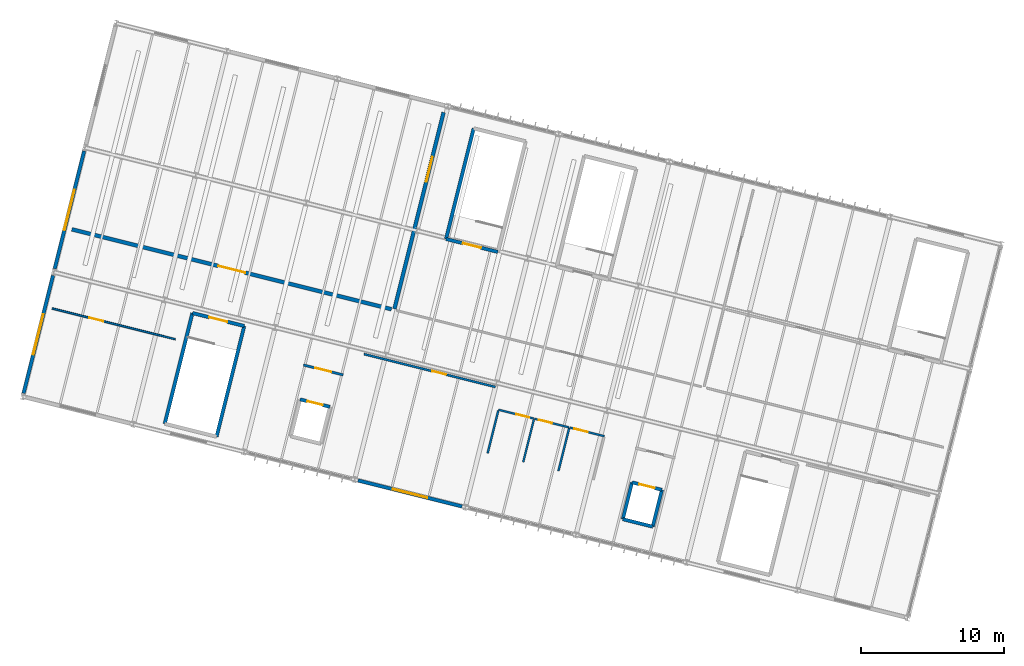
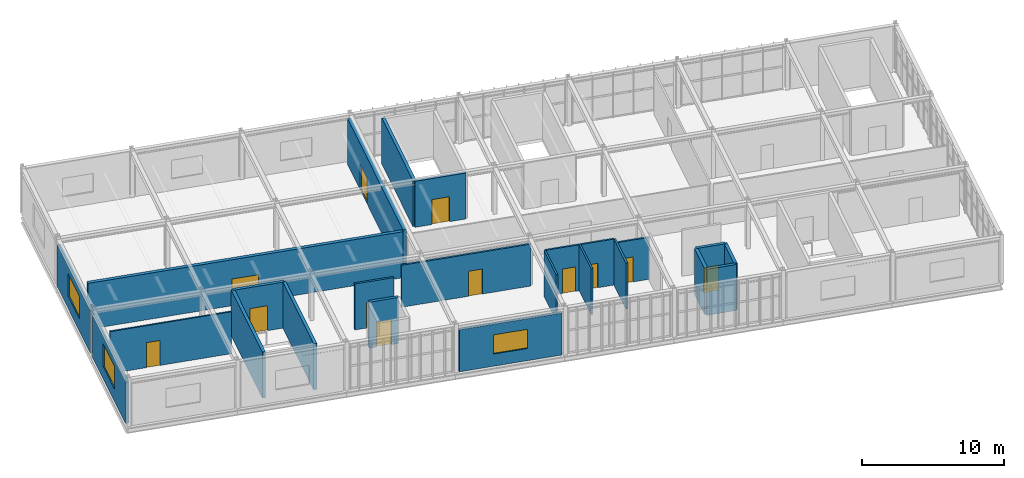
# One storey, part 23 of 30: 24 walls, 12 doors, 3 windows, 15 openings.
"""IFC4 building model written with IfcOpenShell, lengths in metres."""

import ifcopenshell
import ifcopenshell.guid

model = None  # the IFC model being written
_history = None  # IfcOwnerHistory: only IFC2X3 demands one
_inside = {}  # id of a spatial element -> (the spatial element, [elements in it])
_under = {}  # id of a project, library or spatial element -> (it, [spatial elements below it])
_declared = {}  # id of a project -> (the project, [libraries it declares])
_typed = {}  # id of a type object -> (the type object, [elements of that type])
_made_of = {}  # id of a material, layer set ... -> (it, [elements and type objects made of it])


def new_model(schema):
    """Start an empty IFC model of exactly this schema.

    Asked for "IFC4X3", IfcOpenShell would pick the latest addendum, in which some entities
    have other attributes; the version numbers below select the first issue.
    IFC2X3 requires an IfcOwnerHistory on every rooted entity: one is made here for all.
    """
    global model, _history
    if schema == "IFC4X3":
        model = ifcopenshell.file(schema_version=(4, 3, 0, 0))
    else:
        model = ifcopenshell.file(schema=schema)
    _inside.clear()
    _under.clear()
    _declared.clear()
    _typed.clear()
    _made_of.clear()
    _history = None
    if model.schema == "IFC2X3":
        org = make("IfcOrganization", Name="unknown")
        user = make(
            "IfcPersonAndOrganization",
            ThePerson=make("IfcPerson", FamilyName="unknown"),
            TheOrganization=org,
        )
        app = make(
            "IfcApplication",
            ApplicationDeveloper=org,
            Version="unknown",
            ApplicationFullName="unknown",
            ApplicationIdentifier="unknown",
        )
        _history = make(
            "IfcOwnerHistory",
            OwningUser=user,
            OwningApplication=app,
            ChangeAction="ADDED",
            CreationDate=0,
        )
    return model


def make(cls, **values):
    """One entity of the class cls with the attributes given. An attribute that is None is left unset."""
    return model.create_entity(
        cls, **{name: value for name, value in values.items() if value is not None}
    )


def rooted(cls, **values):
    """An entity with a GlobalId (a new one), such as an element, a storey or a relation."""
    return make(cls, GlobalId=ifcopenshell.guid.new(), OwnerHistory=_history, **values)


def si_unit(unit_type, name, prefix=None):
    """IfcSIUnit, for example si_unit("LENGTHUNIT", "METRE", prefix="MILLI")."""
    return make("IfcSIUnit", UnitType=unit_type, Prefix=prefix, Name=name)


def derived_unit(unit_type, elements):
    """IfcDerivedUnit: a product of units, each with its exponent."""
    return make(
        "IfcDerivedUnit",
        Elements=[
            make("IfcDerivedUnitElement", Unit=unit, Exponent=power)
            for unit, power in elements
        ],
        UnitType=unit_type,
    )


def assignment(units):
    """IfcUnitAssignment: the units of a project."""
    return None if units is None else make("IfcUnitAssignment", Units=units)


def point(xyz):
    """IfcCartesianPoint."""
    return None if xyz is None else make("IfcCartesianPoint", Coordinates=xyz)


def direction(xyz):
    """IfcDirection."""
    return None if xyz is None else make("IfcDirection", DirectionRatios=xyz)


def frame(location, z_axis=None, x_axis=None):
    """IfcAxis2Placement3D, a coordinate frame: its origin and axes. An axis left out is left unset."""
    return make(
        "IfcAxis2Placement3D",
        Location=point(location),
        Axis=direction(z_axis),
        RefDirection=direction(x_axis),
    )


def frame_2d(location, x_axis=None):
    """IfcAxis2Placement2D, a coordinate frame in the plane: its origin and x axis."""
    return make(
        "IfcAxis2Placement2D", Location=point(location), RefDirection=direction(x_axis)
    )


def origin():
    """The frame at (0, 0, 0) with its axes left unset."""
    return frame((0.0, 0.0, 0.0))


def place(relative_to, where):
    """IfcLocalPlacement: puts the frame where relative to a parent placement (None: the world)."""
    return make(
        "IfcLocalPlacement", PlacementRelTo=relative_to, RelativePlacement=where
    )


def context(
    kind, dimensions, precision=None, world=None, true_north=None, identifier=None
):
    """IfcGeometricRepresentationContext, for example the 3D "Model" context."""
    return make(
        "IfcGeometricRepresentationContext",
        ContextIdentifier=identifier,
        ContextType=kind,
        CoordinateSpaceDimension=dimensions,
        Precision=precision,
        WorldCoordinateSystem=world,
        TrueNorth=true_north,
    )


def subcontext(parent, identifier, kind, view, scale=None):
    """IfcGeometricRepresentationSubContext, for example "Body" below "Model"."""
    return make(
        "IfcGeometricRepresentationSubContext",
        ContextIdentifier=identifier,
        ContextType=kind,
        ParentContext=parent,
        TargetScale=scale,
        TargetView=view,
    )


def project(units=None, contexts=None):
    """IfcProject with its units and contexts."""
    return rooted(
        "IfcProject",
        Name="project",
        RepresentationContexts=contexts,
        UnitsInContext=assignment(units),
    )


def spatial(cls, under=None, at=None, **own):
    """A site, building, storey or space (cls), placed at a placement, below another one or the project."""
    s = rooted(cls, ObjectPlacement=at, **own)
    if under is not None:
        _under.setdefault(under.id(), (under, []))[1].append(s)
    return s


def profile(cls, at=None, kind="AREA", **sizes):
    """A parametric profile (cls). Its sizes go by their IFC names, for example OverallWidth=200.0."""
    return make(cls, ProfileType=kind, Position=at, **sizes)


def rectangle(**sizes):
    """IfcRectangleProfileDef."""
    return profile("IfcRectangleProfileDef", **sizes)


def extrude(swept, where, along, depth):
    """IfcExtrudedAreaSolid: the profile swept, set in the frame where, extruded along a direction by depth."""
    return make(
        "IfcExtrudedAreaSolid",
        SweptArea=swept,
        Position=where,
        ExtrudedDirection=direction(along),
        Depth=depth,
    )


def shape(context_of_items, identifier, shape_type, items):
    """IfcShapeRepresentation: the items that make up one representation, for example the "Body"."""
    return make(
        "IfcShapeRepresentation",
        ContextOfItems=context_of_items,
        RepresentationIdentifier=identifier,
        RepresentationType=shape_type,
        Items=items,
    )


def material(Name=None, Category=None):
    """IfcMaterial."""
    return make("IfcMaterial", Name=Name, Category=Category)


def layer(
    of_material, thickness, ventilated=None, Name=None, Category=None, Priority=None
):
    """IfcMaterialLayer: one layer of a wall or slab, of a material (None: an air gap)."""
    return make(
        "IfcMaterialLayer",
        Material=of_material,
        LayerThickness=thickness,
        IsVentilated=ventilated,
        Name=Name,
        Category=Category,
        Priority=Priority,
    )


def layer_set(layers, Name=None):
    """IfcMaterialLayerSet."""
    return make("IfcMaterialLayerSet", MaterialLayers=layers, LayerSetName=Name)


def made_of(thing, what):
    """Note that an element or type object is made of a material, layer set ...; save() writes the relation."""
    if what is not None:
        _made_of.setdefault(what.id(), (what, []))[1].append(thing)
    return thing


def type_object(cls, material=None, **own):
    """A type object (cls), such as IfcWallType, which elements share."""
    return made_of(rooted(cls, **own), material)


def element(
    cls,
    number,
    at=None,
    inside=None,
    cuts=None,
    type_object=None,
    material=None,
    context=None,
    identifier="Body",
    shape_type=None,
    held_by="IfcProductDefinitionShape",
    body=None,
    shapes=None,
    **own,
):
    """One element of the class cls, such as IfcWall. Its Tag is "e" and its number.

    at: its placement. inside: the storey or other place that contains it. cuts: it is an
    opening in that element (IfcRelVoidsElement). A single representation is given by context,
    identifier, shape_type and body (its items); several are given by shapes. held_by: the class
    of the entity that holds the representations. save() writes the other relations.
    """
    e = rooted(cls, Tag="e%d" % number, ObjectPlacement=at, **own)
    if body is not None:
        shapes = [shape(context, identifier, shape_type, body)]
    if shapes is not None:
        e.Representation = make(held_by, Representations=shapes)
    if inside is not None:
        _inside.setdefault(inside.id(), (inside, []))[1].append(e)
    if cuts is not None:
        rooted(
            "IfcRelVoidsElement", RelatingBuildingElement=cuts, RelatedOpeningElement=e
        )
    if type_object is not None:
        _typed.setdefault(type_object.id(), (type_object, []))[1].append(e)
    return made_of(e, material)


def fill(opening, filler):
    """IfcRelFillsElement: the door or window that sits in an opening."""
    return rooted(
        "IfcRelFillsElement",
        RelatingOpeningElement=opening,
        RelatedBuildingElement=filler,
    )


def aggregate(whole, parts):
    """IfcRelAggregates: a whole, such as a stair, and the parts it consists of."""
    return rooted("IfcRelAggregates", RelatingObject=whole, RelatedObjects=parts)


def save(model, path):
    """Write the relations noted so far, then the file.

    IfcRelAggregates (storeys below a building ...), IfcRelContainedInSpatialStructure (elements
    in a storey), IfcRelDefinesByType, IfcRelAssociatesMaterial and IfcRelDeclares: one each for
    every whole, place, type object, material and project.
    """
    for whole, parts in _under.values():
        aggregate(whole, parts)
    for where, things in _inside.values():
        rooted(
            "IfcRelContainedInSpatialStructure",
            RelatedElements=things,
            RelatingStructure=where,
        )
    for kind, things in _typed.values():
        rooted("IfcRelDefinesByType", RelatedObjects=things, RelatingType=kind)
    for what, things in _made_of.values():
        rooted("IfcRelAssociatesMaterial", RelatedObjects=things, RelatingMaterial=what)
    for by, libraries in _declared.values():
        rooted("IfcRelDeclares", RelatingContext=by, RelatedDefinitions=libraries)
    model.write(path)


model = new_model("IFC4")

# Units and contexts
model_context = context("Model", 3, precision=1e-05, world=origin(), true_north=direction((0.0, 1.0)))
body_context = subcontext(model_context, "Body", "Model", "MODEL_VIEW")
ifc_project = project(units=[si_unit("LENGTHUNIT", "METRE"), si_unit("AREAUNIT", "SQUARE_METRE"), si_unit("VOLUMEUNIT", "CUBIC_METRE"), si_unit("PLANEANGLEUNIT", "RADIAN"), si_unit("MASSUNIT", "GRAM", prefix="KILO"), si_unit("THERMODYNAMICTEMPERATUREUNIT", "KELVIN"), si_unit("TIMEUNIT", "SECOND"), derived_unit("THERMALTRANSMITTANCEUNIT", [(si_unit("MASSUNIT", "GRAM", prefix="KILO"), 1), (si_unit("THERMODYNAMICTEMPERATUREUNIT", "KELVIN"), -1), (si_unit("TIMEUNIT", "SECOND"), -3)])], contexts=[model_context])

# Site, building, storey
site_placement = place(None, origin())
site = spatial("IfcSite", under=ifc_project, at=site_placement, CompositionType="ELEMENT")
building_placement = place(site_placement, origin())
building = spatial("IfcBuilding", under=site, at=building_placement, Name="Cambertide Market Hall", CompositionType="ELEMENT")
storey_placement = place(building_placement, frame((0.0, 0.0, 14.10009765625)))
storey = spatial("IfcBuildingStorey", under=building, at=storey_placement, Name="L04", CompositionType="ELEMENT", Elevation=14.10009765625)

# Wall, opening, door
ifc_material_1 = material(Name="Autoclaved Aerated Concrete Blockwork M7.5", Category="masonry")
ifc_layer_1 = layer(ifc_material_1, 0.14990234375, Name="Culinary Classroom Acoustic Partition 150")
ifc_layer_set_1 = layer_set([ifc_layer_1], Name="Autoclaved Aerated Concrete Blockwork M7.5")
wall_type_1 = type_object("IfcWallType", Name="Culinary Classroom Acoustic Partition 150", PredefinedType="PARTITIONING", material=ifc_layer_set_1)
wall_1_placement = place(storey_placement, frame((131.938232421875, 102.983154296875, 0.0), z_axis=(0.0, 0.0, 1.0), x_axis=(0.970145523508, -0.242523531267, 0.0)))
wall_1 = element("IfcWall", 1, at=wall_1_placement, inside=storey, type_object=wall_type_1, Name="Level 4 Interior Wall IW-L04-V4S1", PredefinedType="PARTITIONING", context=body_context, shape_type="SweptSolid", body=[
    extrude(rectangle(XDim=9.5, YDim=0.14990234375, at=frame_2d((4.75, 0.0))), origin(), (0.0, 0.0, 1.0), 3.60986328125),
])
opening_1_placement = place(wall_1_placement, frame((4.929931640625, 0.0, 0.0)))
opening_1 = element("IfcOpeningElement", 2, at=opening_1_placement, cuts=wall_1, Name="Opening ID-03", PredefinedType="OPENING", context=body_context, shape_type="SweptSolid", body=[
    extrude(rectangle(XDim=1.0, YDim=2.14990234375, at=frame_2d((0.5, 1.074951171875))), frame((0.0, 0.0849609375, 0.0), z_axis=(0.0, -1.0, 0.0), x_axis=(1.0, 0.0, 0.0)), (0.0, 0.0, 1.0), 0.169921875),
])
ifc_material_2 = material(Name="Champagne Marine Anodized Aluminium 6063-T6 AA25", Category="aluminium")
door_type_1 = type_object("IfcDoorType", Name="Accessible Room Single Door 1000x2150", OperationType="NOTDEFINED", PredefinedType="DOOR", material=ifc_material_2)
door_1_placement = place(opening_1_placement, origin())
door_1 = element("IfcDoor", 3, at=door_1_placement, inside=storey, type_object=door_type_1, Name="Level 4 Door IW-L04-V4S1-DR1", OperationType="SINGLE_SWING_LEFT", OverallHeight=2.14990234375, OverallWidth=1.0, PredefinedType="DOOR", context=body_context, shape_type="SweptSolid", body=[
    extrude(rectangle(XDim=1.0, YDim=2.14990234375, at=frame_2d((0.5, 1.074951171875))), frame((0.0, 0.02490234375, 0.0), z_axis=(0.0, -1.0, 0.0), x_axis=(1.0, 0.0, 0.0)), (0.0, 0.0, 1.0), 0.050048828125),
])
fill(opening_1, door_1)

# Wall, opening, window
ifc_material_3 = material(Name="Autoclaved Aerated Concrete Blockwork M7.5", Category="masonry")
ifc_layer_2 = layer(ifc_material_3, 0.25, Name="Insulated AAC Exterior Infill Wall 250")
ifc_layer_set_2 = layer_set([ifc_layer_2], Name="Autoclaved Aerated Concrete Blockwork M7.5")
wall_type_2 = type_object("IfcWallType", Name="Insulated AAC Exterior Infill Wall 250", PredefinedType="SOLIDWALL", material=ifc_layer_set_2)
wall_2_placement = place(storey_placement, frame((138.811767578125, 92.297119140625, 0.0), z_axis=(0.0, 0.0, 1.0), x_axis=(-0.970146319544, 0.242520346931, 0.0)))
wall_2 = element("IfcWall", 4, at=wall_2_placement, inside=storey, type_object=wall_type_2, Name="Level 4 Exterior Wall EW-L04-V4S-4", PredefinedType="SOLIDWALL", context=body_context, shape_type="SweptSolid", body=[
    extrude(rectangle(XDim=7.52001953125, YDim=0.25, at=frame_2d((3.760009765625, 0.0))), origin(), (0.0, 0.0, 1.0), 3.60986328125),
])
opening_2_placement = place(wall_2_placement, frame((2.510009765625, 0.0, 1.050048828125)))
opening_2 = element("IfcOpeningElement", 5, at=opening_2_placement, cuts=wall_2, Name="Opening WN-09", PredefinedType="OPENING", context=body_context, shape_type="SweptSolid", body=[
    extrude(rectangle(XDim=2.5, YDim=1.64990234375, at=frame_2d((1.25, 0.824951171875))), frame((0.0, 0.135009765625, 0.0), z_axis=(0.0, -1.0, 0.0), x_axis=(1.0, 0.0, 0.0)), (0.0, 0.0, 1.0), 0.27001953125),
])
ifc_material_4 = material(Name="Low-E Laminated Insulated Glass", Category="glass")
window_type_1 = type_object("IfcWindowType", Name="Market Admin Office Window 2500x1650", PartitioningType="SINGLE_PANEL", PredefinedType="WINDOW", material=ifc_material_4)
window_1_placement = place(opening_2_placement, origin())
window_1 = element("IfcWindow", 6, at=window_1_placement, inside=storey, type_object=window_type_1, Name="Level 4 Window EW-L04-V4S-4-WN", OverallHeight=1.64990234375, OverallWidth=2.5, PartitioningType="SINGLE_PANEL", PredefinedType="WINDOW", context=body_context, shape_type="SweptSolid", body=[
    extrude(rectangle(XDim=2.5, YDim=1.64990234375, at=frame_2d((1.25, 0.824951171875))), frame((0.0, 0.030029296875, 0.0), z_axis=(0.0, -1.0, 0.0), x_axis=(1.0, 0.0, 0.0)), (0.0, 0.0, 1.0), 0.06005859375),
])
fill(opening_2, window_1)

wall_3_placement = place(storey_placement, frame((108.05810546875, 100.23291015625, 0.0), z_axis=(0.0, 0.0, 1.0), x_axis=(0.242535625036, 0.970142500145, 0.0)))
wall_3 = element("IfcWall", 7, at=wall_3_placement, inside=storey, type_object=wall_type_2, Name="Level 4 Exterior Wall EW-L04-V4W-1", PredefinedType="SOLIDWALL", context=body_context, shape_type="SweptSolid", body=[
    extrude(rectangle(XDim=8.52001953125, YDim=0.25, at=frame_2d((4.260009765625, 0.0))), origin(), (0.0, 0.0, 1.0), 3.60986328125),
])
opening_3_placement = place(wall_3_placement, frame((2.81005859375, 0.0, 1.050048828125)))
opening_3 = element("IfcOpeningElement", 8, at=opening_3_placement, cuts=wall_3, Name="Opening WN-07", PredefinedType="OPENING", context=body_context, shape_type="SweptSolid", body=[
    extrude(rectangle(XDim=2.89990234375, YDim=1.949951171875, at=frame_2d((1.449951171875, 0.97509765625))), frame((0.0, 0.135009765625, 0.0), z_axis=(0.0, -1.0, 0.0), x_axis=(1.0, 0.0, 0.0)), (0.0, 0.0, 1.0), 0.27001953125),
])
ifc_material_5 = material(Name="Low-E Laminated Insulated Glass", Category="glass")
window_type_2 = type_object("IfcWindowType", Name="Spice Hall Punched Window 2900x1950", PartitioningType="SINGLE_PANEL", PredefinedType="WINDOW", material=ifc_material_5)
window_2_placement = place(opening_3_placement, origin())
window_2 = element("IfcWindow", 9, at=window_2_placement, inside=storey, type_object=window_type_2, Name="Level 4 Window EW-L04-V4W-1-WN", OverallHeight=1.949951171875, OverallWidth=2.89990234375, PartitioningType="SINGLE_PANEL", PredefinedType="WINDOW", context=body_context, shape_type="SweptSolid", body=[
    extrude(rectangle(XDim=2.89990234375, YDim=1.949951171875, at=frame_2d((1.449951171875, 0.97509765625))), frame((0.0, 0.030029296875, 0.0), z_axis=(0.0, -1.0, 0.0), x_axis=(1.0, 0.0, 0.0)), (0.0, 0.0, 1.0), 0.06005859375),
])
fill(opening_3, window_2)

wall_4_placement = place(storey_placement, frame((110.240966796875, 108.964111328125, 0.0), z_axis=(0.0, 0.0, 1.0), x_axis=(0.242535625036, 0.970142500145, 0.0)))
wall_4 = element("IfcWall", 10, at=wall_4_placement, inside=storey, type_object=wall_type_2, Name="Level 4 Exterior Wall EW-L04-V4W-2", PredefinedType="SOLIDWALL", context=body_context, shape_type="SweptSolid", body=[
    extrude(rectangle(XDim=8.52001953125, YDim=0.25, at=frame_2d((4.260009765625, 0.0))), origin(), (0.0, 0.0, 1.0), 3.60986328125),
])
opening_4_placement = place(wall_4_placement, frame((2.81005859375, 0.0, 1.050048828125)))
opening_4 = element("IfcOpeningElement", 11, at=opening_4_placement, cuts=wall_4, Name="Opening WN-07", PredefinedType="OPENING", context=body_context, shape_type="SweptSolid", body=[
    extrude(rectangle(XDim=2.89990234375, YDim=1.949951171875, at=frame_2d((1.449951171875, 0.97509765625))), frame((0.0, 0.135009765625, 0.0), z_axis=(0.0, -1.0, 0.0), x_axis=(1.0, 0.0, 0.0)), (0.0, 0.0, 1.0), 0.27001953125),
])
window_3_placement = place(opening_4_placement, origin())
window_3 = element("IfcWindow", 12, at=window_3_placement, inside=storey, type_object=window_type_2, Name="Level 4 Window EW-L04-V4W-2-WN", OverallHeight=1.949951171875, OverallWidth=2.89990234375, PartitioningType="SINGLE_PANEL", PredefinedType="WINDOW", context=body_context, shape_type="SweptSolid", body=[
    extrude(rectangle(XDim=2.89990234375, YDim=1.949951171875, at=frame_2d((1.449951171875, 0.97509765625))), frame((0.0, 0.030029296875, 0.0), z_axis=(0.0, -1.0, 0.0), x_axis=(1.0, 0.0, 0.0)), (0.0, 0.0, 1.0), 0.06005859375),
])
fill(opening_4, window_3)

# Wall, opening, door
ifc_material_6 = material(Name="Concrete B35", Category="concrete")
ifc_layer_3 = layer(ifc_material_6, 0.264892578125, Name="Internal Shear Wall 265")
ifc_layer_set_3 = layer_set([ifc_layer_3], Name="Concrete B35")
wall_type_3 = type_object("IfcWallType", Name="Internal Shear Wall 265", PredefinedType="SHEAR", material=ifc_layer_set_3)
wall_5_placement = place(storey_placement, frame((111.448974609375, 111.73388671875, 0.0), z_axis=(0.0, 0.0, 1.0), x_axis=(0.970142500145, -0.242535625036, 0.0)))
wall_5 = element("IfcWall", 13, at=wall_5_placement, inside=storey, type_object=wall_type_3, Name="Level 4 Interior Wall IW-L04-AUD", PredefinedType="SHEAR", context=body_context, shape_type="SweptSolid", body=[
    extrude(rectangle(XDim=23.099853515625, YDim=0.264892578125, at=frame_2d((11.5498046875, 0.0))), origin(), (0.0, 0.0, 1.0), 3.9599609375),
])
opening_5_placement = place(wall_5_placement, frame((10.574951171875, 0.0, 0.0)))
opening_5 = element("IfcOpeningElement", 14, at=opening_5_placement, cuts=wall_5, Name="Opening FD-02B", PredefinedType="OPENING", context=body_context, shape_type="SweptSolid", body=[
    extrude(rectangle(XDim=1.949951171875, YDim=2.300048828125, at=frame_2d((0.97509765625, 1.14990234375))), frame((0.0, 0.142333984375, 0.0), z_axis=(0.0, -1.0, 0.0), x_axis=(1.0, 0.0, 0.0)), (0.0, 0.0, 1.0), 0.284912109375),
])
ifc_material_7 = material(Name="Powder-Coated Galvanized Sheet Metal", Category="metal")
door_type_2 = type_object("IfcDoorType", Name="Auditorium Acoustic Fire Door 1950x2300", OperationType="DOUBLE_DOOR_SINGLE_SWING", PredefinedType="DOOR", material=ifc_material_7)
door_2_placement = place(opening_5_placement, origin())
door_2 = element("IfcDoor", 15, at=door_2_placement, inside=storey, type_object=door_type_2, Name="Level 4 Door IW-L04-AUD-DR1", OperationType="DOUBLE_DOOR_SINGLE_SWING", OverallHeight=2.300048828125, OverallWidth=1.949951171875, PredefinedType="DOOR", context=body_context, shape_type="SweptSolid", body=[
    extrude(rectangle(XDim=1.949951171875, YDim=2.300048828125, at=frame_2d((0.97509765625, 1.14990234375))), frame((0.0, 0.02490234375, 0.0), z_axis=(0.0, -1.0, 0.0), x_axis=(1.0, 0.0, 0.0)), (0.0, 0.0, 1.0), 0.050048828125),
])
fill(opening_5, door_2)

wall_6_placement = place(storey_placement, frame((134.072509765625, 106.160400390625, 0.0), z_axis=(0.0, 0.0, 1.0), x_axis=(0.242539670413, 0.970141488792, 0.0)))
wall_6 = element("IfcWall", 16, at=wall_6_placement, inside=storey, type_object=wall_type_3, Name="Level 4 Interior Wall IW-L04-DIV1", PredefinedType="SHEAR", context=body_context, shape_type="SweptSolid", body=[
    extrude(rectangle(XDim=14.2001953125, YDim=0.264892578125, at=frame_2d((7.10009765625, 0.0))), origin(), (0.0, 0.0, 1.0), 3.9599609375),
])
opening_6_placement = place(wall_6_placement, frame((9.176025390625, 0.0, 0.0)))
opening_6 = element("IfcOpeningElement", 17, at=opening_6_placement, cuts=wall_6, Name="Opening FD-02", PredefinedType="OPENING", context=body_context, shape_type="SweptSolid", body=[
    extrude(rectangle(XDim=1.800048828125, YDim=2.199951171875, at=frame_2d((0.89990234375, 1.10009765625))), frame((0.0, 0.142333984375, 0.0), z_axis=(0.0, -1.0, 0.0), x_axis=(1.0, 0.0, 0.0)), (0.0, 0.0, 1.0), 0.284912109375),
])
ifc_material_8 = material(Name="Powder-Coated Galvanized Sheet Metal", Category="metal")
door_type_3 = type_object("IfcDoorType", Name="Compartment Double Fire Door 1800x2200", OperationType="DOUBLE_DOOR_SINGLE_SWING", PredefinedType="DOOR", material=ifc_material_8)
door_3_placement = place(opening_6_placement, origin())
door_3 = element("IfcDoor", 18, at=door_3_placement, inside=storey, type_object=door_type_3, Name="Level 4 Door IW-L04-DIV1-DR1", OperationType="DOUBLE_DOOR_SINGLE_SWING", OverallHeight=2.199951171875, OverallWidth=1.800048828125, PredefinedType="DOOR", context=body_context, shape_type="SweptSolid", body=[
    extrude(rectangle(XDim=1.800048828125, YDim=2.199951171875, at=frame_2d((0.89990234375, 1.10009765625))), frame((0.0, 0.02490234375, 0.0), z_axis=(0.0, -1.0, 0.0), x_axis=(1.0, 0.0, 0.0)), (0.0, 0.0, 1.0), 0.050048828125),
])
fill(opening_6, door_3)

ifc_material_9 = material(Name="Autoclaved Aerated Concrete Blockwork M7.5", Category="masonry")
ifc_layer_4 = layer(ifc_material_9, 0.169921875, Name="Lift Lobby Fire Partition 170")
ifc_layer_set_4 = layer_set([ifc_layer_4], Name="Autoclaved Aerated Concrete Blockwork M7.5")
wall_type_4 = type_object("IfcWallType", Name="Lift Lobby Fire Partition 170", PredefinedType="PARTITIONING", material=ifc_layer_set_4)
wall_7_placement = place(storey_placement, frame((127.6962890625, 102.21923828125, 0.0), z_axis=(0.0, 0.0, 1.0), x_axis=(0.970127434573, -0.242595879372, 0.0)))
wall_7 = element("IfcWall", 19, at=wall_7_placement, inside=storey, type_object=wall_type_4, Name="Level 4 Interior Wall LLW-LP-03-L04", PredefinedType="PARTITIONING", context=body_context, shape_type="SweptSolid", body=[
    extrude(rectangle(XDim=2.860107421875, YDim=0.169921875, at=frame_2d((1.43017578125, 0.0))), origin(), (0.0, 0.0, 1.0), 3.9599609375),
])
opening_7_placement = place(wall_7_placement, frame((0.85498046875, 0.0, 0.0)))
opening_7 = element("IfcOpeningElement", 20, at=opening_7_placement, cuts=wall_7, Name="Opening KD-02", PredefinedType="OPENING", context=body_context, shape_type="SweptSolid", body=[
    extrude(rectangle(XDim=1.14990234375, YDim=2.14990234375, at=frame_2d((0.574951171875, 1.074951171875))), frame((0.0, 0.094970703125, 0.0), z_axis=(0.0, -1.0, 0.0), x_axis=(1.0, 0.0, 0.0)), (0.0, 0.0, 1.0), 0.18994140625),
])
ifc_material_10 = material(Name="Stainless Steel Grade 316", Category="metal")
door_type_4 = type_object("IfcDoorType", Name="Lift Lobby Smoke-Stop Door 1150x2150", OperationType="NOTDEFINED", PredefinedType="DOOR", material=ifc_material_10)
door_4_placement = place(opening_7_placement, origin())
door_4 = element("IfcDoor", 21, at=door_4_placement, inside=storey, type_object=door_type_4, Name="Level 4 Door LLW-LP-03-L04-DR1", OperationType="SINGLE_SWING_LEFT", OverallHeight=2.14990234375, OverallWidth=1.14990234375, PredefinedType="DOOR", context=body_context, shape_type="SweptSolid", body=[
    extrude(rectangle(XDim=1.14990234375, YDim=2.14990234375, at=frame_2d((0.574951171875, 1.074951171875))), frame((0.0, 0.02490234375, 0.0), z_axis=(0.0, -1.0, 0.0), x_axis=(1.0, 0.0, 0.0)), (0.0, 0.0, 1.0), 0.050048828125),
])
fill(opening_7, door_4)

ifc_material_11 = material(Name="Autoclaved Aerated Concrete Blockwork M7.5", Category="masonry")
ifc_layer_5 = layer(ifc_material_11, 0.125, Name="Market Stall & Office Partition 125")
ifc_layer_set_5 = layer_set([ifc_layer_5], Name="Autoclaved Aerated Concrete Blockwork M7.5")
wall_type_5 = type_object("IfcWallType", Name="Market Stall & Office Partition 125", PredefinedType="PARTITIONING", material=ifc_layer_set_5)
wall_8_placement = place(storey_placement, frame((110.0615234375, 106.1845703125, 0.0), z_axis=(0.0, 0.0, 1.0), x_axis=(0.970145727306, -0.24252271603, 0.0)))
wall_8 = element("IfcWall", 22, at=wall_8_placement, inside=storey, type_object=wall_type_5, Name="Level 4 Interior Wall IW-L04-INSP", PredefinedType="PARTITIONING", context=body_context, shape_type="SweptSolid", body=[
    extrude(rectangle(XDim=8.89990234375, YDim=0.125, at=frame_2d((4.449951171875, 0.0))), origin(), (0.0, 0.0, 1.0), 3.60986328125),
])
opening_8_placement = place(wall_8_placement, frame((2.68603515625, 0.0, 0.0)))
opening_8 = element("IfcOpeningElement", 23, at=opening_8_placement, cuts=wall_8, Name="Opening ID-03", PredefinedType="OPENING", context=body_context, shape_type="SweptSolid", body=[
    extrude(rectangle(XDim=1.0, YDim=2.14990234375, at=frame_2d((0.5, 1.074951171875))), frame((0.0, 0.072509765625, 0.0), z_axis=(0.0, -1.0, 0.0), x_axis=(1.0, 0.0, 0.0)), (0.0, 0.0, 1.0), 0.14501953125),
])
door_5_placement = place(opening_8_placement, origin())
door_5 = element("IfcDoor", 24, at=door_5_placement, inside=storey, type_object=door_type_1, Name="Level 4 Door IW-L04-INSP-DR1", OperationType="SINGLE_SWING_LEFT", OverallHeight=2.14990234375, OverallWidth=1.0, PredefinedType="DOOR", context=body_context, shape_type="SweptSolid", body=[
    extrude(rectangle(XDim=1.0, YDim=2.14990234375, at=frame_2d((0.5, 1.074951171875))), frame((0.0, 0.02490234375, 0.0), z_axis=(0.0, -1.0, 0.0), x_axis=(1.0, 0.0, 0.0)), (0.0, 0.0, 1.0), 0.050048828125),
])
fill(opening_8, door_5)

ifc_material_12 = material(Name="Autoclaved Aerated Concrete Blockwork M7.5", Category="masonry")
ifc_layer_6 = layer(ifc_material_12, 0.139892578125, Name="Sanitary & Wet-Area Masonry Partition 140")
ifc_layer_set_6 = layer_set([ifc_layer_6], Name="Autoclaved Aerated Concrete Blockwork M7.5")
wall_type_6 = type_object("IfcWallType", Name="Sanitary & Wet-Area Masonry Partition 140", PredefinedType="PARTITIONING", material=ifc_layer_set_6)
wall_9_placement = place(storey_placement, frame((141.372802734375, 99.078369140625, 0.0), z_axis=(0.0, 0.0, 1.0), x_axis=(0.970148131734, -0.242513097571, 0.0)))
wall_9 = element("IfcWall", 25, at=wall_9_placement, inside=storey, type_object=wall_type_6, Name="Level 4 Interior Wall WCW-L04-L04A-F1", PredefinedType="PARTITIONING", context=body_context, shape_type="SweptSolid", body=[
    extrude(rectangle(XDim=2.550048828125, YDim=0.139892578125, at=frame_2d((1.27490234375, 0.0))), origin(), (0.0, 0.0, 1.0), 3.9599609375),
])
opening_9_placement = place(wall_9_placement, frame((1.280029296875, 0.0, 0.0)))
opening_9 = element("IfcOpeningElement", 26, at=opening_9_placement, cuts=wall_9, Name="Opening ID-04", PredefinedType="OPENING", context=body_context, shape_type="SweptSolid", body=[
    extrude(rectangle(XDim=0.949951171875, YDim=2.10009765625, at=frame_2d((0.47509765625, 1.050048828125))), frame((0.0, 0.079833984375, 0.0), z_axis=(0.0, -1.0, 0.0), x_axis=(1.0, 0.0, 0.0)), (0.0, 0.0, 1.0), 0.159912109375),
])
ifc_material_13 = material(Name="Champagne Marine Anodized Aluminium 6063-T6 AA25", Category="aluminium")
door_type_5 = type_object("IfcDoorType", Name="WC & Office Single Door 950x2100", OperationType="NOTDEFINED", PredefinedType="DOOR", material=ifc_material_13)
door_6_placement = place(opening_9_placement, origin())
door_6 = element("IfcDoor", 27, at=door_6_placement, inside=storey, type_object=door_type_5, Name="Level 4 Door WCW-L04-L04A-F1-DR1", OperationType="SINGLE_SWING_LEFT", OverallHeight=2.10009765625, OverallWidth=0.949951171875, PredefinedType="DOOR", context=body_context, shape_type="SweptSolid", body=[
    extrude(rectangle(XDim=0.949951171875, YDim=2.10009765625, at=frame_2d((0.47509765625, 1.050048828125))), frame((0.0, 0.02490234375, 0.0), z_axis=(0.0, -1.0, 0.0), x_axis=(1.0, 0.0, 0.0)), (0.0, 0.0, 1.0), 0.050048828125),
])
fill(opening_9, door_6)

wall_10_placement = place(storey_placement, frame((143.895263671875, 98.44775390625, 0.0), z_axis=(0.0, 0.0, 1.0), x_axis=(0.970153988463, -0.242489667139, 0.0)))
wall_10 = element("IfcWall", 28, at=wall_10_placement, inside=storey, type_object=wall_type_6, Name="Level 4 Interior Wall WCW-L04-L04A-F2", PredefinedType="PARTITIONING", context=body_context, shape_type="SweptSolid", body=[
    extrude(rectangle(XDim=2.5, YDim=0.139892578125, at=frame_2d((1.25, 0.0))), origin(), (0.0, 0.0, 1.0), 3.9599609375),
])
opening_10_placement = place(wall_10_placement, frame((0.320068359375, 0.0, 0.0)))
opening_10 = element("IfcOpeningElement", 29, at=opening_10_placement, cuts=wall_10, Name="Opening ID-04", PredefinedType="OPENING", context=body_context, shape_type="SweptSolid", body=[
    extrude(rectangle(XDim=0.949951171875, YDim=2.10009765625, at=frame_2d((0.47509765625, 1.050048828125))), frame((0.0, 0.079833984375, 0.0), z_axis=(0.0, -1.0, 0.0), x_axis=(1.0, 0.0, 0.0)), (0.0, 0.0, 1.0), 0.159912109375),
])
door_7_placement = place(opening_10_placement, origin())
door_7 = element("IfcDoor", 30, at=door_7_placement, inside=storey, type_object=door_type_5, Name="Level 4 Door WCW-L04-L04A-F2-DR1", OperationType="SINGLE_SWING_RIGHT", OverallHeight=2.10009765625, OverallWidth=0.949951171875, PredefinedType="DOOR", context=body_context, shape_type="SweptSolid", body=[
    extrude(rectangle(XDim=0.949951171875, YDim=2.10009765625, at=frame_2d((0.47509765625, 1.050048828125))), frame((0.0, 0.02490234375, 0.0), z_axis=(0.0, -1.0, 0.0), x_axis=(1.0, 0.0, 0.0)), (0.0, 0.0, 1.0), 0.050048828125),
])
fill(opening_10, door_7)

wall_11_placement = place(storey_placement, frame((146.369140625, 97.829345703125, 0.0), z_axis=(0.0, 0.0, 1.0), x_axis=(0.970131009923, -0.242581581301, 0.0)))
wall_11 = element("IfcWall", 31, at=wall_11_placement, inside=storey, type_object=wall_type_6, Name="Level 4 Interior Wall WCW-L04-L04A-F3", PredefinedType="PARTITIONING", context=body_context, shape_type="SweptSolid", body=[
    extrude(rectangle(XDim=2.5, YDim=0.139892578125, at=frame_2d((1.25, 0.0))), origin(), (0.0, 0.0, 1.0), 3.60986328125),
])
opening_11_placement = place(wall_11_placement, frame((0.320068359375, 0.0, 0.0)))
opening_11 = element("IfcOpeningElement", 32, at=opening_11_placement, cuts=wall_11, Name="Opening ID-05", PredefinedType="OPENING", context=body_context, shape_type="SweptSolid", body=[
    extrude(rectangle(XDim=0.97998046875, YDim=2.14990234375, at=frame_2d((0.489990234375, 1.074951171875))), frame((0.0, 0.079833984375, 0.0), z_axis=(0.0, -1.0, 0.0), x_axis=(1.0, 0.0, 0.0)), (0.0, 0.0, 1.0), 0.159912109375),
])
ifc_material_14 = material(Name="Champagne Marine Anodized Aluminium 6063-T6 AA25", Category="aluminium")
door_type_6 = type_object("IfcDoorType", Name="Accessible WC Outward Door 980x2150", OperationType="NOTDEFINED", PredefinedType="DOOR", material=ifc_material_14)
door_8_placement = place(opening_11_placement, origin())
door_8 = element("IfcDoor", 33, at=door_8_placement, inside=storey, type_object=door_type_6, Name="Level 4 Door WCW-L04-L04A-F3-DR1", OperationType="SINGLE_SWING_LEFT", OverallHeight=2.14990234375, OverallWidth=0.97998046875, PredefinedType="DOOR", context=body_context, shape_type="SweptSolid", body=[
    extrude(rectangle(XDim=0.97998046875, YDim=2.14990234375, at=frame_2d((0.489990234375, 1.074951171875))), frame((0.0, 0.02490234375, 0.0), z_axis=(0.0, -1.0, 0.0), x_axis=(1.0, 0.0, 0.0)), (0.0, 0.0, 1.0), 0.050048828125),
])
fill(opening_11, door_8)

# Walls
wall_12_placement = place(storey_placement, frame((143.102294921875, 95.399169921875, 0.0), z_axis=(0.0, 0.0, 1.0), x_axis=(0.242498561862, 0.970151765187, 0.0)))
element("IfcWall", 34, at=wall_12_placement, inside=storey, type_object=wall_type_6, Name="Level 4 Interior Wall WCW-L04-L04A-D1", PredefinedType="PARTITIONING", context=body_context, shape_type="SweptSolid", body=[
    extrude(rectangle(XDim=3.099853515625, YDim=0.139892578125, at=frame_2d((1.5498046875, 0.0))), origin(), (0.0, 0.0, 1.0), 3.9599609375),
])
wall_13_placement = place(storey_placement, frame((145.575927734375, 94.780517578125, 0.0), z_axis=(0.0, 0.0, 1.0), x_axis=(0.242554154721, 0.970137867536, 0.0)))
element("IfcWall", 35, at=wall_13_placement, inside=storey, type_object=wall_type_6, Name="Level 4 Interior Wall WCW-L04-L04A-D2", PredefinedType="PARTITIONING", context=body_context, shape_type="SweptSolid", body=[
    extrude(rectangle(XDim=3.10009765625, YDim=0.139892578125, at=frame_2d((1.550048828125, 0.0))), origin(), (0.0, 0.0, 1.0), 3.9599609375),
])
wall_14_placement = place(storey_placement, frame((140.60888671875, 96.0224609375, 0.0), z_axis=(0.0, 0.0, 1.0), x_axis=(0.242572687149, 0.970133233865, 0.0)))
element("IfcWall", 36, at=wall_14_placement, inside=storey, type_object=wall_type_6, Name="Level 4 Interior Wall WCW-L04-L04A-L", PredefinedType="PARTITIONING", context=body_context, shape_type="SweptSolid", body=[
    extrude(rectangle(XDim=3.099853515625, YDim=0.139892578125, at=frame_2d((1.5498046875, 0.0))), origin(), (0.0, 0.0, 1.0), 3.9599609375),
])

# Wall, opening, door
ifc_material_15 = material(Name="Concrete B35", Category="concrete")
ifc_layer_7 = layer(ifc_material_15, 0.239990234375, Name="Stair & Lift Core Shaft Wall 240")
ifc_layer_set_7 = layer_set([ifc_layer_7], Name="Concrete B35")
wall_type_7 = type_object("IfcWallType", Name="Stair & Lift Core Shaft Wall 240", PredefinedType="SOLIDWALL", material=ifc_layer_set_7)
wall_15_placement = place(storey_placement, frame((119.90234375, 105.86328125, 0.0), z_axis=(0.0, 0.0, 1.0), x_axis=(0.970150158722, -0.242504988675, 0.0)))
wall_15 = element("IfcWall", 37, at=wall_15_placement, inside=storey, type_object=wall_type_7, Name="Level 4 Interior Wall SHW-ST-07A-L04-NEAR", PredefinedType="SOLIDWALL", context=body_context, shape_type="SweptSolid", body=[
    extrude(rectangle(XDim=3.750244140625, YDim=0.239990234375, at=frame_2d((1.875, 0.0))), origin(), (0.0, 0.0, 1.0), 3.9599609375),
])
opening_12_placement = place(wall_15_placement, frame((1.22509765625, 0.0, 0.0)))
opening_12 = element("IfcOpeningElement", 38, at=opening_12_placement, cuts=wall_15, Name="Opening FD-01", PredefinedType="OPENING", context=body_context, shape_type="SweptSolid", body=[
    extrude(rectangle(XDim=1.300048828125, YDim=2.14990234375, at=frame_2d((0.64990234375, 1.074951171875))), frame((0.0, 0.1298828125, 0.0), z_axis=(0.0, -1.0, 0.0), x_axis=(1.0, 0.0, 0.0)), (0.0, 0.0, 1.0), 0.260009765625),
])
ifc_material_16 = material(Name="Powder-Coated Galvanized Sheet Metal", Category="metal")
door_type_7 = type_object("IfcDoorType", Name="Stair Core Fire Door 1300x2150", OperationType="NOTDEFINED", PredefinedType="DOOR", material=ifc_material_16)
door_9_placement = place(opening_12_placement, origin())
door_9 = element("IfcDoor", 39, at=door_9_placement, inside=storey, type_object=door_type_7, Name="Level 4 Door SHW-ST-07A-L04-NEAR-DR1", OperationType="SINGLE_SWING_LEFT", OverallHeight=2.14990234375, OverallWidth=1.300048828125, PredefinedType="DOOR", context=body_context, shape_type="SweptSolid", body=[
    extrude(rectangle(XDim=1.300048828125, YDim=2.14990234375, at=frame_2d((0.64990234375, 1.074951171875))), frame((0.0, 0.02490234375, 0.0), z_axis=(0.0, -1.0, 0.0), x_axis=(1.0, 0.0, 0.0)), (0.0, 0.0, 1.0), 0.050048828125),
])
fill(opening_12, door_9)

# Walls
wall_16_placement = place(storey_placement, frame((117.962158203125, 98.102294921875, 0.0), z_axis=(0.0, 0.0, 1.0), x_axis=(0.242528444268, 0.970144295309, 0.0)))
element("IfcWall", 40, at=wall_16_placement, inside=storey, type_object=wall_type_7, Name="Level 4 Interior Wall SHW-ST-07A-L04-L", PredefinedType="SOLIDWALL", context=body_context, shape_type="SweptSolid", body=[
    extrude(rectangle(XDim=7.999755859375, YDim=0.239990234375, at=frame_2d((4.0, 0.0))), origin(), (0.0, 0.0, 1.0), 3.9599609375),
])
wall_17_placement = place(storey_placement, frame((123.54052734375, 104.953857421875, 0.0), z_axis=(0.0, 0.0, 1.0), x_axis=(-0.242549986002, -0.970138909791, 0.0)))
element("IfcWall", 41, at=wall_17_placement, inside=storey, type_object=wall_type_7, Name="Level 4 Interior Wall SHW-ST-07A-L04-R", PredefinedType="SOLIDWALL", context=body_context, shape_type="SweptSolid", body=[
    extrude(rectangle(XDim=8.000244140625, YDim=0.239990234375, at=frame_2d((4.0, 0.0))), origin(), (0.0, 0.0, 1.0), 3.9599609375),
])

# Wall, opening, door
wall_18_placement = place(storey_placement, frame((141.33056640625, 110.14404296875, 0.0), z_axis=(0.0, 0.0, 1.0), x_axis=(-0.970134840723, 0.242566260672, 0.0)))
wall_18 = element("IfcWall", 42, at=wall_18_placement, inside=storey, type_object=wall_type_7, Name="Level 4 Interior Wall SHW-ST-07B-L04-NEAR", PredefinedType="SOLIDWALL", context=body_context, shape_type="SweptSolid", body=[
    extrude(rectangle(XDim=3.750244140625, YDim=0.239990234375, at=frame_2d((1.875, 0.0))), origin(), (0.0, 0.0, 1.0), 3.9599609375),
])
opening_13_placement = place(wall_18_placement, frame((1.22509765625, 0.0, 0.0)))
opening_13 = element("IfcOpeningElement", 43, at=opening_13_placement, cuts=wall_18, Name="Opening FD-01", PredefinedType="OPENING", context=body_context, shape_type="SweptSolid", body=[
    extrude(rectangle(XDim=1.300048828125, YDim=2.14990234375, at=frame_2d((0.64990234375, 1.074951171875))), frame((0.0, 0.1298828125, 0.0), z_axis=(0.0, -1.0, 0.0), x_axis=(1.0, 0.0, 0.0)), (0.0, 0.0, 1.0), 0.260009765625),
])
door_10_placement = place(opening_13_placement, origin())
door_10 = element("IfcDoor", 44, at=door_10_placement, inside=storey, type_object=door_type_7, Name="Level 4 Door SHW-ST-07B-L04-NEAR-DR1", OperationType="SINGLE_SWING_RIGHT", OverallHeight=2.14990234375, OverallWidth=1.300048828125, PredefinedType="DOOR", context=body_context, shape_type="SweptSolid", body=[
    extrude(rectangle(XDim=1.300048828125, YDim=2.14990234375, at=frame_2d((0.64990234375, 1.074951171875))), frame((0.0, 0.02490234375, 0.0), z_axis=(0.0, -1.0, 0.0), x_axis=(1.0, 0.0, 0.0)), (0.0, 0.0, 1.0), 0.050048828125),
])
fill(opening_13, door_10)

# Wall
wall_19_placement = place(storey_placement, frame((137.6923828125, 111.0537109375, 0.0), z_axis=(0.0, 0.0, 1.0), x_axis=(0.242557167103, 0.970137114374, 0.0)))
element("IfcWall", 45, at=wall_19_placement, inside=storey, type_object=wall_type_7, Name="Level 4 Interior Wall SHW-ST-07B-L04-R", PredefinedType="SOLIDWALL", context=body_context, shape_type="SweptSolid", body=[
    extrude(rectangle(XDim=8.0, YDim=0.239990234375, at=frame_2d((4.0, 0.0))), origin(), (0.0, 0.0, 1.0), 3.9599609375),
])

# Wall, opening, door
wall_20_placement = place(storey_placement, frame((127.453857421875, 99.805908203125, 0.0), z_axis=(0.0, 0.0, 1.0), x_axis=(0.970135850962, -0.242562220222, 0.0)))
wall_20 = element("IfcWall", 46, at=wall_20_placement, inside=storey, type_object=wall_type_7, Name="Level 4 Interior Wall LSH-LP-03-L04-N", PredefinedType="SOLIDWALL", context=body_context, shape_type="SweptSolid", body=[
    extrude(rectangle(XDim=2.159912109375, YDim=0.239990234375, at=frame_2d((1.080078125, 0.0))), origin(), (0.0, 0.0, 1.0), 3.9599609375),
])
opening_14_placement = place(wall_20_placement, frame((0.530029296875, 0.0, 0.0)))
opening_14 = element("IfcOpeningElement", 47, at=opening_14_placement, cuts=wall_20, Name="Opening LD-01", PredefinedType="OPENING", context=body_context, shape_type="SweptSolid", body=[
    extrude(rectangle(XDim=1.10009765625, YDim=2.14990234375, at=frame_2d((0.550048828125, 1.074951171875))), frame((0.0, 0.1298828125, 0.0), z_axis=(0.0, -1.0, 0.0), x_axis=(1.0, 0.0, 0.0)), (0.0, 0.0, 1.0), 0.260009765625),
])
ifc_material_17 = material(Name="Stainless Steel Grade 316", Category="metal")
door_type_8 = type_object("IfcDoorType", Name="Passenger Lift Sliding Landing Door 1100x2150", OperationType="DOUBLE_DOOR_SLIDING", PredefinedType="DOOR", material=ifc_material_17)
door_11_placement = place(opening_14_placement, origin())
door_11 = element("IfcDoor", 48, at=door_11_placement, inside=storey, type_object=door_type_8, Name="Level 4 Door LSH-LP-03-L04-N-DR1", OperationType="DOUBLE_DOOR_SLIDING", OverallHeight=2.14990234375, OverallWidth=1.10009765625, PredefinedType="DOOR", context=body_context, shape_type="SweptSolid", body=[
    extrude(rectangle(XDim=1.10009765625, YDim=2.14990234375, at=frame_2d((0.550048828125, 1.074951171875))), frame((0.0, 0.02490234375, 0.0), z_axis=(0.0, -1.0, 0.0), x_axis=(1.0, 0.0, 0.0)), (0.0, 0.0, 1.0), 0.050048828125),
])
fill(opening_14, door_11)

# Wall
wall_21_placement = place(storey_placement, frame((152.1875, 90.880615234375, 0.0), z_axis=(0.0, 0.0, 1.0), x_axis=(-0.970135850962, 0.242562220222, 0.0)))
element("IfcWall", 49, at=wall_21_placement, inside=storey, type_object=wall_type_7, Name="Level 4 Interior Wall LSH-LP-04-L04-S", PredefinedType="SOLIDWALL", context=body_context, shape_type="SweptSolid", body=[
    extrude(rectangle(XDim=2.159912109375, YDim=0.239990234375, at=frame_2d((1.080078125, 0.0))), origin(), (0.0, 0.0, 1.0), 3.9599609375),
])

# Wall, opening, door
wall_22_placement = place(storey_placement, frame((150.7373046875, 93.985107421875, 0.0), z_axis=(0.0, 0.0, 1.0), x_axis=(0.970135850962, -0.242562220222, 0.0)))
wall_22 = element("IfcWall", 50, at=wall_22_placement, inside=storey, type_object=wall_type_7, Name="Level 4 Interior Wall LSH-LP-04-L04-N", PredefinedType="SOLIDWALL", context=body_context, shape_type="SweptSolid", body=[
    extrude(rectangle(XDim=2.159912109375, YDim=0.239990234375, at=frame_2d((1.080078125, 0.0))), origin(), (0.0, 0.0, 1.0), 3.9599609375),
])
opening_15_placement = place(wall_22_placement, frame((0.530029296875, 0.0, 0.0)))
opening_15 = element("IfcOpeningElement", 51, at=opening_15_placement, cuts=wall_22, Name="Opening LD-01", PredefinedType="OPENING", context=body_context, shape_type="SweptSolid", body=[
    extrude(rectangle(XDim=1.10009765625, YDim=2.14990234375, at=frame_2d((0.550048828125, 1.074951171875))), frame((0.0, 0.1298828125, 0.0), z_axis=(0.0, -1.0, 0.0), x_axis=(1.0, 0.0, 0.0)), (0.0, 0.0, 1.0), 0.260009765625),
])
door_12_placement = place(opening_15_placement, origin())
door_12 = element("IfcDoor", 52, at=door_12_placement, inside=storey, type_object=door_type_8, Name="Level 4 Door LSH-LP-04-L04-N-DR1", OperationType="DOUBLE_DOOR_SLIDING", OverallHeight=2.14990234375, OverallWidth=1.10009765625, PredefinedType="DOOR", context=body_context, shape_type="SweptSolid", body=[
    extrude(rectangle(XDim=1.10009765625, YDim=2.14990234375, at=frame_2d((0.550048828125, 1.074951171875))), frame((0.0, 0.02490234375, 0.0), z_axis=(0.0, -1.0, 0.0), x_axis=(1.0, 0.0, 0.0)), (0.0, 0.0, 1.0), 0.050048828125),
])
fill(opening_15, door_12)

# Walls
for number, where, z_axis, x_axis, name in (
    (53, (150.092041015625, 91.404541015625, 0.0), (0.0, 0.0, 1.0), (0.242578816146, 0.970131701346, 0.0), "Level 4 Interior Wall LSH-LP-04-L04-W"),
    (54, (152.832763671875, 93.461181640625, 0.0), (0.0, 0.0, 1.0), (-0.242578816146, -0.970131701346, 0.0), "Level 4 Interior Wall LSH-LP-04-L04-E"),
):
    element("IfcWall", number, at=place(storey_placement, frame(where, z_axis=z_axis, x_axis=x_axis)), inside=storey, type_object=wall_type_7, Name=name, PredefinedType="SOLIDWALL", context=body_context, shape_type="SweptSolid", body=[
        extrude(rectangle(XDim=2.659912109375, YDim=0.239990234375, at=frame_2d((1.330078125, 0.0))), origin(), (0.0, 0.0, 1.0), 3.9599609375),
    ])

save(model, "model.ifc")
